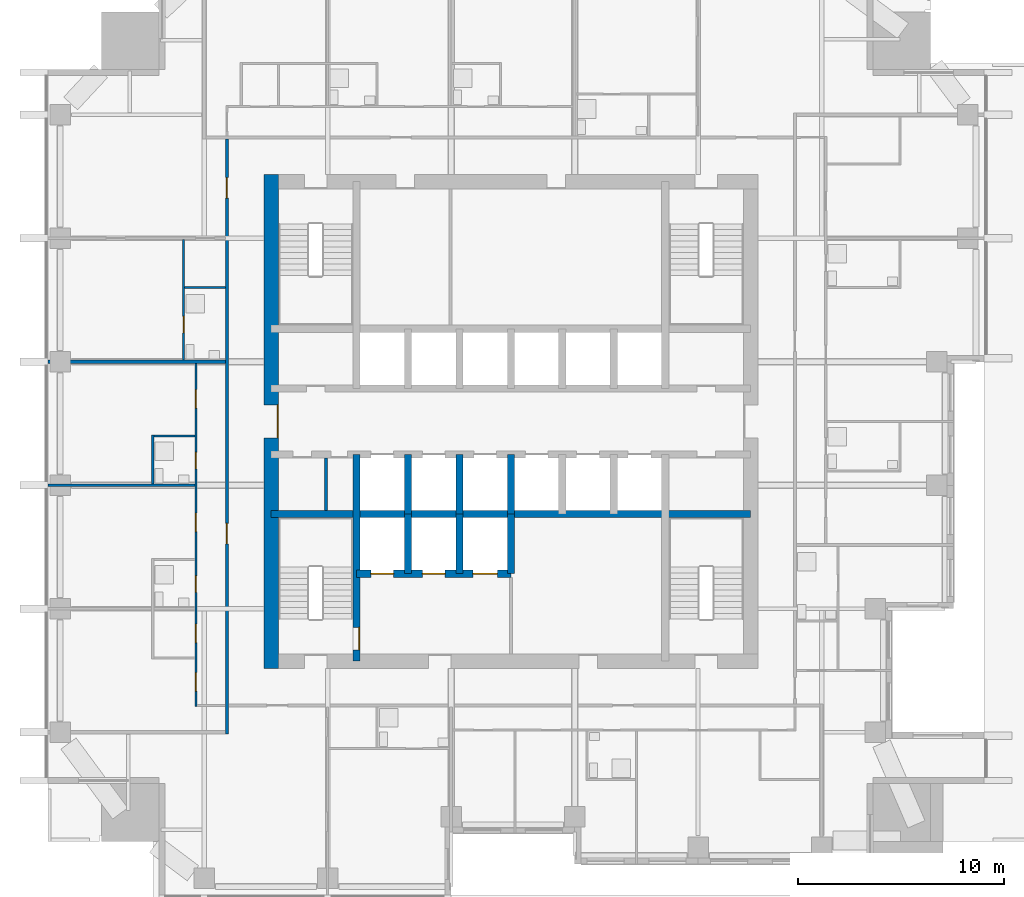
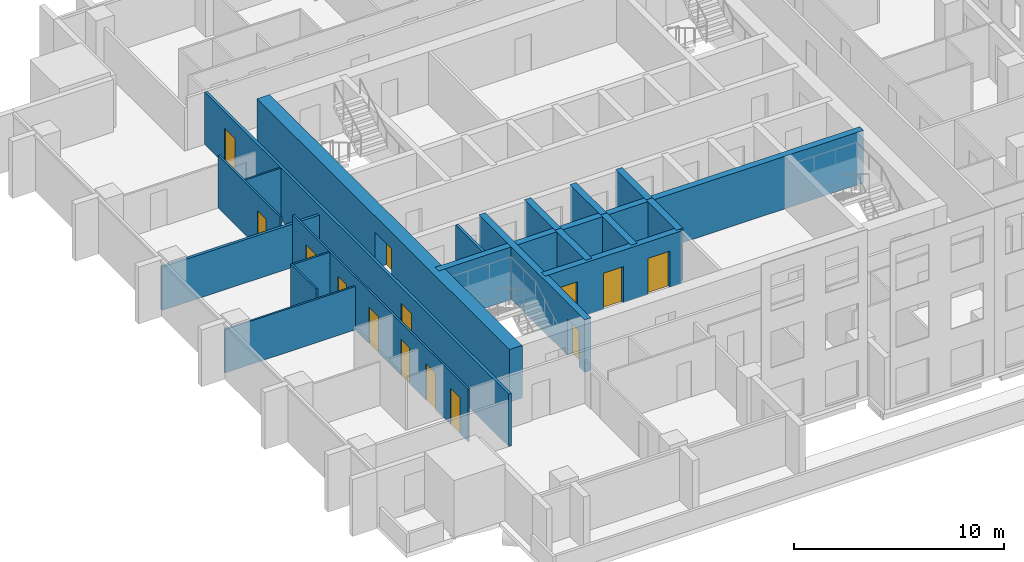
# One storey, part 5 of 14: 19 walls, 14 doors, 14 openings.
"""IFC4 building model written with IfcOpenShell, lengths in metres."""

from ifc_helpers import new_model, si_unit, direction, frame, frame_2d, origin, place, context, subcontext, project, spatial, rectangle, extrude, material, layer, layer_set, type_object, element, fill, save


model = new_model("IFC4")

# Units and contexts
model_context = context("Model", 3, precision=1e-05, world=origin(), true_north=direction((0.0, 1.0)))
body_context = subcontext(model_context, "Body", "Model", "MODEL_VIEW")
ifc_project = project(units=[si_unit("LENGTHUNIT", "METRE"), si_unit("AREAUNIT", "SQUARE_METRE"), si_unit("VOLUMEUNIT", "CUBIC_METRE"), si_unit("PLANEANGLEUNIT", "RADIAN"), si_unit("MASSUNIT", "GRAM", prefix="KILO")], contexts=[model_context])

# Site, building, storey
site_placement = place(None, origin())
site = spatial("IfcSite", under=ifc_project, at=site_placement, CompositionType="ELEMENT")
building_placement = place(site_placement, origin())
building = spatial("IfcBuilding", under=site, at=building_placement, Name="Amberfall Residences", CompositionType="ELEMENT")
storey_placement = place(building_placement, frame((0.0, 0.0, 133.89990234375)))
storey = spatial("IfcBuildingStorey", under=building, at=storey_placement, Name="L35", CompositionType="ELEMENT", Elevation=133.89990234375)

# Wall
ifc_material_1 = material(Name="Concrete C60", Category="concrete")
ifc_layer_1 = layer(ifc_material_1, 0.35009765625)
ifc_layer_set_1 = layer_set([ifc_layer_1], Name="Core wall 350 C60")
wall_type_1 = type_object("IfcWallType", Name="Core wall 350 C60", PredefinedType="SHEAR", material=ifc_layer_set_1)
wall_1_placement = place(storey_placement, frame((62.85009765625, 41.0, 0.0), z_axis=(0.0, 0.0, 1.0), x_axis=(1.0, 0.0, 0.0)))
element("IfcWall", 1, at=wall_1_placement, inside=storey, type_object=wall_type_1, Name="Core wall RW6 L35 H75", PredefinedType="SHEAR", context=body_context, shape_type="SweptSolid", body=[
    extrude(rectangle(XDim=23.2998046875, YDim=0.35009765625, at=frame_2d((11.64990234375, 0.0))), origin(), (0.0, 0.0, 1.0), 3.050048828125),
])

# Wall, opening, door
wall_2_placement = place(storey_placement, frame((67.0, 33.85009765625, 0.0), z_axis=(0.0, 0.0, 1.0), x_axis=(0.0, 1.0, 0.0)))
wall_2 = element("IfcWall", 2, at=wall_2_placement, inside=storey, type_object=wall_type_1, Name="Core wall RW6 L35 V45S", PredefinedType="SHEAR", context=body_context, shape_type="SweptSolid", body=[
    extrude(rectangle(XDim=10.0498046875, YDim=0.35009765625, at=frame_2d((5.02490234375, 0.0))), origin(), (0.0, 0.0, 1.0), 3.050048828125),
])
opening_1_placement = place(wall_2_placement, frame((0.550048828125, 0.0, 0.0)))
opening_1 = element("IfcOpeningElement", 3, at=opening_1_placement, cuts=wall_2, Name="Opening FL1", PredefinedType="OPENING", context=body_context, shape_type="SweptSolid", body=[
    extrude(rectangle(XDim=1.10009765625, YDim=2.10009765625, at=frame_2d((0.550048828125, 1.050048828125))), frame((0.0, 0.18505859375, 0.0), z_axis=(0.0, -1.0, 0.0), x_axis=(1.0, 0.0, 0.0)), (0.0, 0.0, 1.0), 0.3701171875),
])
ifc_material_2 = material(Name="Steel fire door set", Category="steel")
door_type_1 = type_object("IfcDoorType", Name="Firefighting lobby door 1100 x 2100", OperationType="SINGLE_SWING_LEFT", PredefinedType="DOOR", material=ifc_material_2)
door_1_placement = place(opening_1_placement, origin())
door_1 = element("IfcDoor", 4, at=door_1_placement, inside=storey, type_object=door_type_1, Name="FL1 L35", OperationType="SINGLE_SWING_RIGHT", OverallHeight=2.10009765625, OverallWidth=1.10009765625, PredefinedType="DOOR", context=body_context, shape_type="SweptSolid", body=[
    extrude(rectangle(XDim=1.10009765625, YDim=2.10009765625, at=frame_2d((0.550048828125, 1.050048828125))), frame((0.0, -0.1123046875, 0.0), z_axis=(0.0, -1.0, 0.0), x_axis=(1.0, 0.0, 0.0)), (0.0, 0.0, 1.0), 0.050048828125),
])
fill(opening_1, door_1)

# Walls
for number, where, z_axis, x_axis, name in (
    (5, (69.5, 41.0, 0.0), (0.0, 0.0, 1.0), (0.0, 1.0, 0.0), "Core wall RW6 L35 LPD1"),
    (6, (72.0, 41.0, 0.0), (0.0, 0.0, 1.0), (0.0, 1.0, 0.0), "Core wall RW6 L35 LPD2"),
    (7, (74.5, 41.0, 0.0), (0.0, 0.0, 1.0), (0.0, 1.0, 0.0), "Core wall RW6 L35 LPD3"),
):
    element("IfcWall", number, at=place(storey_placement, frame(where, z_axis=z_axis, x_axis=x_axis)), inside=storey, type_object=wall_type_1, Name=name, PredefinedType="SHEAR", context=body_context, shape_type="SweptSolid", body=[
        extrude(rectangle(XDim=2.89990234375, YDim=0.35009765625, at=frame_2d((1.449951171875, 0.0))), origin(), (0.0, 0.0, 1.0), 3.050048828125),
    ])

# Wall, openings, doors
wall_3_placement = place(storey_placement, frame((67.0, 38.10009765625, 0.0), z_axis=(0.0, 0.0, 1.0), x_axis=(1.0, 0.0, 0.0)))
wall_3 = element("IfcWall", 8, at=wall_3_placement, inside=storey, type_object=wall_type_1, Name="Core wall RW6 L35 FFF", PredefinedType="SHEAR", context=body_context, shape_type="SweptSolid", body=[
    extrude(rectangle(XDim=7.5, YDim=0.35009765625, at=frame_2d((3.75, 0.0))), origin(), (0.0, 0.0, 1.0), 3.050048828125),
])
opening_2_placement = place(wall_3_placement, frame((0.699951171875, 0.0, 0.0)))
opening_2 = element("IfcOpeningElement", 9, at=opening_2_placement, cuts=wall_3, Name="Opening LD2", PredefinedType="OPENING", context=body_context, shape_type="SweptSolid", body=[
    extrude(rectangle(XDim=1.10009765625, YDim=2.10009765625, at=frame_2d((0.550048828125, 1.050048828125))), frame((0.0, 0.18505859375, 0.0), z_axis=(0.0, -1.0, 0.0), x_axis=(1.0, 0.0, 0.0)), (0.0, 0.0, 1.0), 0.3701171875),
])
opening_3_placement = place(wall_3_placement, frame((3.199951171875, 0.0, 0.0)))
opening_3 = element("IfcOpeningElement", 10, at=opening_3_placement, cuts=wall_3, Name="Opening LD2", PredefinedType="OPENING", context=body_context, shape_type="SweptSolid", body=[
    extrude(rectangle(XDim=1.10009765625, YDim=2.10009765625, at=frame_2d((0.550048828125, 1.050048828125))), frame((0.0, 0.18505859375, 0.0), z_axis=(0.0, -1.0, 0.0), x_axis=(1.0, 0.0, 0.0)), (0.0, 0.0, 1.0), 0.3701171875),
])
opening_4_placement = place(wall_3_placement, frame((5.64990234375, 0.0, 0.0)))
opening_4 = element("IfcOpeningElement", 11, at=opening_4_placement, cuts=wall_3, Name="Opening LD3", PredefinedType="OPENING", context=body_context, shape_type="SweptSolid", body=[
    extrude(rectangle(XDim=1.199951171875, YDim=2.10009765625, at=frame_2d((0.60009765625, 1.050048828125))), frame((0.0, 0.18505859375, 0.0), z_axis=(0.0, -1.0, 0.0), x_axis=(1.0, 0.0, 0.0)), (0.0, 0.0, 1.0), 0.3701171875),
])
door_type_2 = type_object("IfcDoorType", Name="Firefighting lift landing door 1100 x 2100", OperationType="DOUBLE_DOOR_SLIDING", PredefinedType="DOOR", material=ifc_material_2)
door_2_placement = place(opening_2_placement, origin())
door_2 = element("IfcDoor", 12, at=door_2_placement, inside=storey, type_object=door_type_2, Name="Landing door FF1 L35", OperationType="DOUBLE_DOOR_SLIDING", OverallHeight=2.10009765625, OverallWidth=1.10009765625, PredefinedType="DOOR", context=body_context, shape_type="SweptSolid", body=[
    extrude(rectangle(XDim=1.10009765625, YDim=2.10009765625, at=frame_2d((0.550048828125, 1.050048828125))), frame((0.0, 0.02490234375, 0.0), z_axis=(0.0, -1.0, 0.0), x_axis=(1.0, 0.0, 0.0)), (0.0, 0.0, 1.0), 0.050048828125),
])
fill(opening_2, door_2)
door_3_placement = place(opening_3_placement, origin())
door_3 = element("IfcDoor", 13, at=door_3_placement, inside=storey, type_object=door_type_2, Name="Landing door FF2 L35", OperationType="DOUBLE_DOOR_SLIDING", OverallHeight=2.10009765625, OverallWidth=1.10009765625, PredefinedType="DOOR", context=body_context, shape_type="SweptSolid", body=[
    extrude(rectangle(XDim=1.10009765625, YDim=2.10009765625, at=frame_2d((0.550048828125, 1.050048828125))), frame((0.0, 0.02490234375, 0.0), z_axis=(0.0, -1.0, 0.0), x_axis=(1.0, 0.0, 0.0)), (0.0, 0.0, 1.0), 0.050048828125),
])
fill(opening_3, door_3)
door_type_3 = type_object("IfcDoorType", Name="Service lift landing door 1200 x 2100", OperationType="DOUBLE_DOOR_SLIDING", PredefinedType="DOOR", material=ifc_material_2)
door_4_placement = place(opening_4_placement, origin())
door_4 = element("IfcDoor", 14, at=door_4_placement, inside=storey, type_object=door_type_3, Name="Landing door SL1 L35", OperationType="DOUBLE_DOOR_SLIDING", OverallHeight=2.10009765625, OverallWidth=1.199951171875, PredefinedType="DOOR", context=body_context, shape_type="SweptSolid", body=[
    extrude(rectangle(XDim=1.199951171875, YDim=2.10009765625, at=frame_2d((0.60009765625, 1.050048828125))), frame((0.0, 0.02490234375, 0.0), z_axis=(0.0, -1.0, 0.0), x_axis=(1.0, 0.0, 0.0)), (0.0, 0.0, 1.0), 0.050048828125),
])
fill(opening_4, door_4)

# Walls
for number, where, z_axis, x_axis, name in (
    (15, (69.5, 38.10009765625, 0.0), (0.0, 0.0, 1.0), (0.0, 1.0, 0.0), "Core wall RW6 L35 FFD1"),
    (16, (72.0, 38.10009765625, 0.0), (0.0, 0.0, 1.0), (0.0, 1.0, 0.0), "Core wall RW6 L35 FFD2"),
    (17, (74.5, 38.10009765625, 0.0), (0.0, 0.0, 1.0), (0.0, 1.0, 0.0), "Core wall RW6 L35 FFD3"),
):
    element("IfcWall", number, at=place(storey_placement, frame(where, z_axis=z_axis, x_axis=x_axis)), inside=storey, type_object=wall_type_1, Name=name, PredefinedType="SHEAR", context=body_context, shape_type="SweptSolid", body=[
        extrude(rectangle(XDim=2.89990234375, YDim=0.35009765625, at=frame_2d((1.449951171875, 0.0))), origin(), (0.0, 0.0, 1.0), 3.050048828125),
    ])

# Wall, opening, door
ifc_layer_2 = layer(ifc_material_1, 0.699951171875)
ifc_layer_set_2 = layer_set([ifc_layer_2], Name="Core wall 700 C60")
wall_type_2 = type_object("IfcWallType", Name="Core wall 700 C60", PredefinedType="SHEAR", material=ifc_layer_set_2)
wall_4_placement = place(storey_placement, frame((62.85009765625, 33.5, 0.0), z_axis=(0.0, 0.0, 1.0), x_axis=(0.0, 1.0, 0.0)))
wall_4 = element("IfcWall", 18, at=wall_4_placement, inside=storey, type_object=wall_type_2, Name="Core wall RW5 L35 OW", PredefinedType="SHEAR", context=body_context, shape_type="SweptSolid", body=[
    extrude(rectangle(XDim=24.0, YDim=0.699951171875, at=frame_2d((12.0, 0.0))), origin(), (0.0, 0.0, 1.0), 3.050048828125),
])
opening_5_placement = place(wall_4_placement, frame((11.199951171875, 0.0, 0.0)))
opening_5 = element("IfcOpeningElement", 19, at=opening_5_placement, cuts=wall_4, Name="Opening LB1", PredefinedType="OPENING", context=body_context, shape_type="SweptSolid", body=[
    extrude(rectangle(XDim=1.60009765625, YDim=2.10009765625, at=frame_2d((0.800048828125, 1.050048828125))), frame((0.0, 0.35986328125, 0.0), z_axis=(0.0, -1.0, 0.0), x_axis=(1.0, 0.0, 0.0)), (0.0, 0.0, 1.0), 0.719970703125),
])
door_type_4 = type_object("IfcDoorType", Name="Lift lobby double door 1600 x 2100", OperationType="DOUBLE_DOOR_SINGLE_SWING", PredefinedType="DOOR", material=ifc_material_2)
door_5_placement = place(opening_5_placement, origin())
door_5 = element("IfcDoor", 20, at=door_5_placement, inside=storey, type_object=door_type_4, Name="LB1 L35", OperationType="DOUBLE_DOOR_SINGLE_SWING", OverallHeight=2.10009765625, OverallWidth=1.60009765625, PredefinedType="DOOR", context=body_context, shape_type="SweptSolid", body=[
    extrude(rectangle(XDim=1.60009765625, YDim=2.10009765625, at=frame_2d((0.800048828125, 1.050048828125))), frame((0.0, -0.28759765625, 0.0), z_axis=(0.0, -1.0, 0.0), x_axis=(1.0, 0.0, 0.0)), (0.0, 0.0, 1.0), 0.050048828125),
])
fill(opening_5, door_5)

# Wall
ifc_material_3 = material(Name="Gypsum board on metal stud")
ifc_layer_3 = layer(ifc_material_3, 0.10009765625)
ifc_layer_set_3 = layer_set([ifc_layer_3], Name="Flat partition 100")
wall_type_3 = type_object("IfcWallType", Name="Flat partition 100", PredefinedType="PARTITIONING", material=ifc_layer_set_3)
wall_5_placement = place(storey_placement, frame((57.10009765625, 42.449951171875, 0.0), z_axis=(0.0, 0.0, 1.0), x_axis=(0.0, 1.0, 0.0)))
element("IfcWall", 21, at=wall_5_placement, inside=storey, type_object=wall_type_3, Name="Partition 002", PredefinedType="PARTITIONING", context=body_context, shape_type="SweptSolid", body=[
    extrude(rectangle(XDim=2.400146484375, YDim=0.10009765625, at=frame_2d((1.2001953125, 0.0))), origin(), (0.0, 0.0, 1.0), 3.050048828125),
])

# Wall, opening, door
wall_6_placement = place(storey_placement, frame((58.60009765625, 54.35009765625, 0.0), z_axis=(0.0, 0.0, 1.0), x_axis=(0.0, -1.0, 0.0)))
wall_6 = element("IfcWall", 22, at=wall_6_placement, inside=storey, type_object=wall_type_3, Name="Partition 003", PredefinedType="PARTITIONING", context=body_context, shape_type="SweptSolid", body=[
    extrude(rectangle(XDim=5.875, YDim=0.10009765625, at=frame_2d((2.9375, 0.0))), origin(), (0.0, 0.0, 1.0), 3.050048828125),
])
opening_6_placement = place(wall_6_placement, frame((3.75, 0.0, 0.0)))
opening_6 = element("IfcOpeningElement", 23, at=opening_6_placement, cuts=wall_6, Name="Opening D42", PredefinedType="OPENING", context=body_context, shape_type="SweptSolid", body=[
    extrude(rectangle(XDim=0.800048828125, YDim=2.10009765625, at=frame_2d((0.39990234375, 1.050048828125))), frame((0.0, 0.06005859375, 0.0), z_axis=(0.0, -1.0, 0.0), x_axis=(1.0, 0.0, 0.0)), (0.0, 0.0, 1.0), 0.1201171875),
])
ifc_material_4 = material(Name="Timber", Category="wood")
door_type_5 = type_object("IfcDoorType", Name="Bathroom door 800 x 2100", OperationType="SINGLE_SWING_LEFT", PredefinedType="DOOR", material=ifc_material_4)
door_6_placement = place(opening_6_placement, origin())
door_6 = element("IfcDoor", 24, at=door_6_placement, inside=storey, type_object=door_type_5, Name="Door 3508 bath1", OperationType="SINGLE_SWING_LEFT", OverallHeight=2.10009765625, OverallWidth=0.800048828125, PredefinedType="DOOR", context=body_context, shape_type="SweptSolid", body=[
    extrude(rectangle(XDim=0.800048828125, YDim=2.10009765625, at=frame_2d((0.39990234375, 1.050048828125))), frame((0.0, 0.02490234375, 0.0), z_axis=(0.0, -1.0, 0.0), x_axis=(1.0, 0.0, 0.0)), (0.0, 0.0, 1.0), 0.050048828125),
])
fill(opening_6, door_6)

# Wall, openings, doors
wall_7_placement = place(storey_placement, frame((59.199951171875, 31.64990234375, 0.0), z_axis=(0.0, 0.0, 1.0), x_axis=(0.0, 1.0, 0.0)))
wall_7 = element("IfcWall", 25, at=wall_7_placement, inside=storey, type_object=wall_type_3, Name="Partition 004", PredefinedType="PARTITIONING", context=body_context, shape_type="SweptSolid", body=[
    extrude(rectangle(XDim=16.675048828125, YDim=0.10009765625, at=frame_2d((8.33740234375, 0.0))), origin(), (0.0, 0.0, 1.0), 3.050048828125),
])
opening_7_placement = place(wall_7_placement, frame((0.75, 0.0, 0.0)))
opening_7 = element("IfcOpeningElement", 26, at=opening_7_placement, cuts=wall_7, Name="Opening D41", PredefinedType="OPENING", context=body_context, shape_type="SweptSolid", body=[
    extrude(rectangle(XDim=0.89990234375, YDim=2.10009765625, at=frame_2d((0.449951171875, 1.050048828125))), frame((0.0, 0.06005859375, 0.0), z_axis=(0.0, -1.0, 0.0), x_axis=(1.0, 0.0, 0.0)), (0.0, 0.0, 1.0), 0.1201171875),
])
opening_8_placement = place(wall_7_placement, frame((3.10009765625, 0.0, 0.0)))
opening_8 = element("IfcOpeningElement", 27, at=opening_8_placement, cuts=wall_7, Name="Opening D41", PredefinedType="OPENING", context=body_context, shape_type="SweptSolid", body=[
    extrude(rectangle(XDim=0.89990234375, YDim=2.10009765625, at=frame_2d((0.449951171875, 1.050048828125))), frame((0.0, 0.06005859375, 0.0), z_axis=(0.0, -1.0, 0.0), x_axis=(1.0, 0.0, 0.0)), (0.0, 0.0, 1.0), 0.1201171875),
])
opening_9_placement = place(wall_7_placement, frame((8.5, 0.0, 0.0)))
opening_9 = element("IfcOpeningElement", 28, at=opening_9_placement, cuts=wall_7, Name="Opening D41", PredefinedType="OPENING", context=body_context, shape_type="SweptSolid", body=[
    extrude(rectangle(XDim=0.89990234375, YDim=2.10009765625, at=frame_2d((0.449951171875, 1.050048828125))), frame((0.0, 0.06005859375, 0.0), z_axis=(0.0, -1.0, 0.0), x_axis=(1.0, 0.0, 0.0)), (0.0, 0.0, 1.0), 0.1201171875),
])
opening_10_placement = place(wall_7_placement, frame((14.5, 0.0, 0.0)))
opening_10 = element("IfcOpeningElement", 29, at=opening_10_placement, cuts=wall_7, Name="Opening D41", PredefinedType="OPENING", context=body_context, shape_type="SweptSolid", body=[
    extrude(rectangle(XDim=0.89990234375, YDim=2.10009765625, at=frame_2d((0.449951171875, 1.050048828125))), frame((0.0, 0.06005859375, 0.0), z_axis=(0.0, -1.0, 0.0), x_axis=(1.0, 0.0, 0.0)), (0.0, 0.0, 1.0), 0.1201171875),
])
opening_11_placement = place(wall_7_placement, frame((5.550048828125, 0.0, 0.0)))
opening_11 = element("IfcOpeningElement", 30, at=opening_11_placement, cuts=wall_7, Name="Opening D42", PredefinedType="OPENING", context=body_context, shape_type="SweptSolid", body=[
    extrude(rectangle(XDim=0.800048828125, YDim=2.10009765625, at=frame_2d((0.39990234375, 1.050048828125))), frame((0.0, 0.06005859375, 0.0), z_axis=(0.0, -1.0, 0.0), x_axis=(1.0, 0.0, 0.0)), (0.0, 0.0, 1.0), 0.1201171875),
])
opening_12_placement = place(wall_7_placement, frame((11.550048828125, 0.0, 0.0)))
opening_12 = element("IfcOpeningElement", 31, at=opening_12_placement, cuts=wall_7, Name="Opening D42", PredefinedType="OPENING", context=body_context, shape_type="SweptSolid", body=[
    extrude(rectangle(XDim=0.800048828125, YDim=2.10009765625, at=frame_2d((0.39990234375, 1.050048828125))), frame((0.0, 0.06005859375, 0.0), z_axis=(0.0, -1.0, 0.0), x_axis=(1.0, 0.0, 0.0)), (0.0, 0.0, 1.0), 0.1201171875),
])
door_7_placement = place(opening_11_placement, origin())
door_7 = element("IfcDoor", 32, at=door_7_placement, inside=storey, type_object=door_type_5, Name="Door 3507 bath1", OperationType="SINGLE_SWING_LEFT", OverallHeight=2.10009765625, OverallWidth=0.800048828125, PredefinedType="DOOR", context=body_context, shape_type="SweptSolid", body=[
    extrude(rectangle(XDim=0.800048828125, YDim=2.10009765625, at=frame_2d((0.39990234375, 1.050048828125))), frame((0.0, 0.02490234375, 0.0), z_axis=(0.0, -1.0, 0.0), x_axis=(1.0, 0.0, 0.0)), (0.0, 0.0, 1.0), 0.050048828125),
])
fill(opening_11, door_7)
door_8_placement = place(opening_12_placement, origin())
door_8 = element("IfcDoor", 33, at=door_8_placement, inside=storey, type_object=door_type_5, Name="Door 3507 bath2", OperationType="SINGLE_SWING_LEFT", OverallHeight=2.10009765625, OverallWidth=0.800048828125, PredefinedType="DOOR", context=body_context, shape_type="SweptSolid", body=[
    extrude(rectangle(XDim=0.800048828125, YDim=2.10009765625, at=frame_2d((0.39990234375, 1.050048828125))), frame((0.0, 0.02490234375, 0.0), z_axis=(0.0, -1.0, 0.0), x_axis=(1.0, 0.0, 0.0)), (0.0, 0.0, 1.0), 0.050048828125),
])
fill(opening_12, door_8)
door_type_6 = type_object("IfcDoorType", Name="Internal door 900 x 2100", OperationType="SINGLE_SWING_LEFT", PredefinedType="DOOR", material=ifc_material_4)
door_9_placement = place(opening_7_placement, origin())
door_9 = element("IfcDoor", 34, at=door_9_placement, inside=storey, type_object=door_type_6, Name="Door 3507 living", OperationType="SINGLE_SWING_LEFT", OverallHeight=2.10009765625, OverallWidth=0.89990234375, PredefinedType="DOOR", context=body_context, shape_type="SweptSolid", body=[
    extrude(rectangle(XDim=0.89990234375, YDim=2.10009765625, at=frame_2d((0.449951171875, 1.050048828125))), frame((0.0, 0.02490234375, 0.0), z_axis=(0.0, -1.0, 0.0), x_axis=(1.0, 0.0, 0.0)), (0.0, 0.0, 1.0), 0.050048828125),
])
fill(opening_7, door_9)
door_10_placement = place(opening_8_placement, origin())
door_10 = element("IfcDoor", 35, at=door_10_placement, inside=storey, type_object=door_type_6, Name="Door 3507 kitchen", OperationType="SINGLE_SWING_LEFT", OverallHeight=2.10009765625, OverallWidth=0.89990234375, PredefinedType="DOOR", context=body_context, shape_type="SweptSolid", body=[
    extrude(rectangle(XDim=0.89990234375, YDim=2.10009765625, at=frame_2d((0.449951171875, 1.050048828125))), frame((0.0, 0.02490234375, 0.0), z_axis=(0.0, -1.0, 0.0), x_axis=(1.0, 0.0, 0.0)), (0.0, 0.0, 1.0), 0.050048828125),
])
fill(opening_8, door_10)
door_11_placement = place(opening_9_placement, origin())
door_11 = element("IfcDoor", 36, at=door_11_placement, inside=storey, type_object=door_type_6, Name="Door 3507 bedroom1", OperationType="SINGLE_SWING_LEFT", OverallHeight=2.10009765625, OverallWidth=0.89990234375, PredefinedType="DOOR", context=body_context, shape_type="SweptSolid", body=[
    extrude(rectangle(XDim=0.89990234375, YDim=2.10009765625, at=frame_2d((0.449951171875, 1.050048828125))), frame((0.0, 0.02490234375, 0.0), z_axis=(0.0, -1.0, 0.0), x_axis=(1.0, 0.0, 0.0)), (0.0, 0.0, 1.0), 0.050048828125),
])
fill(opening_9, door_11)
door_12_placement = place(opening_10_placement, origin())
door_12 = element("IfcDoor", 37, at=door_12_placement, inside=storey, type_object=door_type_6, Name="Door 3507 bedroom2", OperationType="SINGLE_SWING_LEFT", OverallHeight=2.10009765625, OverallWidth=0.89990234375, PredefinedType="DOOR", context=body_context, shape_type="SweptSolid", body=[
    extrude(rectangle(XDim=0.89990234375, YDim=2.10009765625, at=frame_2d((0.449951171875, 1.050048828125))), frame((0.0, 0.02490234375, 0.0), z_axis=(0.0, -1.0, 0.0), x_axis=(1.0, 0.0, 0.0)), (0.0, 0.0, 1.0), 0.050048828125),
])
fill(opening_10, door_12)

# Walls
wall_8_placement = place(storey_placement, frame((58.64990234375, 52.0, 0.0), z_axis=(0.0, 0.0, 1.0), x_axis=(1.0, 0.0, 0.0)))
element("IfcWall", 38, at=wall_8_placement, inside=storey, type_object=wall_type_3, Name="Partition 034", PredefinedType="PARTITIONING", context=body_context, shape_type="SweptSolid", body=[
    extrude(rectangle(XDim=1.97509765625, YDim=0.10009765625, at=frame_2d((0.987548828125, 0.0))), origin(), (0.0, 0.0, 1.0), 3.050048828125),
])
wall_9_placement = place(storey_placement, frame((57.14990234375, 44.800048828125, 0.0), z_axis=(0.0, 0.0, 1.0), x_axis=(1.0, 0.0, 0.0)))
element("IfcWall", 39, at=wall_9_placement, inside=storey, type_object=wall_type_3, Name="Partition 037", PredefinedType="PARTITIONING", context=body_context, shape_type="SweptSolid", body=[
    extrude(rectangle(XDim=2.0, YDim=0.10009765625, at=frame_2d((1.0, 0.0))), origin(), (0.0, 0.0, 1.0), 3.050048828125),
])
wall_10_placement = place(storey_placement, frame((52.0, 42.39990234375, 0.0), z_axis=(0.0, 0.0, 1.0), x_axis=(1.0, 0.0, 0.0)))
element("IfcWall", 40, at=wall_10_placement, inside=storey, type_object=wall_type_3, Name="Partition 039", PredefinedType="PARTITIONING", context=body_context, shape_type="SweptSolid", body=[
    extrude(rectangle(XDim=7.14990234375, YDim=0.10009765625, at=frame_2d((3.574951171875, 0.0))), origin(), (0.0, 0.0, 1.0), 2.51611328125),
])

# Wall, openings, doors
ifc_material_5 = material(Name="Blockwork, plastered", Category="masonry")
ifc_layer_4 = layer(ifc_material_5, 0.14990234375)
ifc_layer_set_4 = layer_set([ifc_layer_4], Name="Flat separating wall 150")
wall_type_4 = type_object("IfcWallType", Name="Flat separating wall 150", PredefinedType="PARTITIONING", material=ifc_layer_set_4)
wall_11_placement = place(storey_placement, frame((60.699951171875, 30.324951171875, 0.0), z_axis=(0.0, 0.0, 1.0), x_axis=(0.0, 1.0, 0.0)))
wall_11 = element("IfcWall", 41, at=wall_11_placement, inside=storey, type_object=wall_type_4, Name="Separating wall 051", PredefinedType="PARTITIONING", context=body_context, shape_type="SweptSolid", body=[
    extrude(rectangle(XDim=28.900146484375, YDim=0.14990234375, at=frame_2d((14.4501953125, 0.0))), origin(), (0.0, 0.0, 1.0), 3.050048828125),
])
opening_13_placement = place(wall_11_placement, frame((9.22509765625, 0.0, 0.0)))
opening_13 = element("IfcOpeningElement", 42, at=opening_13_placement, cuts=wall_11, Name="Opening D40", PredefinedType="OPENING", context=body_context, shape_type="SweptSolid", body=[
    extrude(rectangle(XDim=1.0, YDim=2.10009765625, at=frame_2d((0.5, 1.050048828125))), frame((0.0, 0.0849609375, 0.0), z_axis=(0.0, -1.0, 0.0), x_axis=(1.0, 0.0, 0.0)), (0.0, 0.0, 1.0), 0.169921875),
])
opening_14_placement = place(wall_11_placement, frame((26.02490234375, 0.0, 0.0)))
opening_14 = element("IfcOpeningElement", 43, at=opening_14_placement, cuts=wall_11, Name="Opening D40", PredefinedType="OPENING", context=body_context, shape_type="SweptSolid", body=[
    extrude(rectangle(XDim=1.0, YDim=2.10009765625, at=frame_2d((0.5, 1.050048828125))), frame((0.0, 0.0849609375, 0.0), z_axis=(0.0, -1.0, 0.0), x_axis=(1.0, 0.0, 0.0)), (0.0, 0.0, 1.0), 0.169921875),
])
ifc_material_6 = material(Name="Timber, fire-rated", Category="wood")
door_type_7 = type_object("IfcDoorType", Name="Flat entrance door FD60 1000 x 2100", OperationType="SINGLE_SWING_LEFT", PredefinedType="DOOR", material=ifc_material_6)
door_13_placement = place(opening_13_placement, origin())
door_13 = element("IfcDoor", 44, at=door_13_placement, inside=storey, type_object=door_type_7, Name="Door 3507 entrance", OperationType="SINGLE_SWING_LEFT", OverallHeight=2.10009765625, OverallWidth=1.0, PredefinedType="DOOR", context=body_context, shape_type="SweptSolid", body=[
    extrude(rectangle(XDim=1.0, YDim=2.10009765625, at=frame_2d((0.5, 1.050048828125))), frame((0.0, 0.02490234375, 0.0), z_axis=(0.0, -1.0, 0.0), x_axis=(1.0, 0.0, 0.0)), (0.0, 0.0, 1.0), 0.050048828125),
])
fill(opening_13, door_13)
door_14_placement = place(opening_14_placement, origin())
door_14 = element("IfcDoor", 45, at=door_14_placement, inside=storey, type_object=door_type_7, Name="Door 3508 entrance", OperationType="SINGLE_SWING_LEFT", OverallHeight=2.10009765625, OverallWidth=1.0, PredefinedType="DOOR", context=body_context, shape_type="SweptSolid", body=[
    extrude(rectangle(XDim=1.0, YDim=2.10009765625, at=frame_2d((0.5, 1.050048828125))), frame((0.0, 0.02490234375, 0.0), z_axis=(0.0, -1.0, 0.0), x_axis=(1.0, 0.0, 0.0)), (0.0, 0.0, 1.0), 0.050048828125),
])
fill(opening_14, door_14)

# Walls
wall_12_placement = place(storey_placement, frame((52.0, 48.39990234375, 0.0), z_axis=(0.0, 0.0, 1.0), x_axis=(1.0, 0.0, 0.0)))
element("IfcWall", 46, at=wall_12_placement, inside=storey, type_object=wall_type_4, Name="Separating wall 058", PredefinedType="PARTITIONING", context=body_context, shape_type="SweptSolid", body=[
    extrude(rectangle(XDim=8.625, YDim=0.14990234375, at=frame_2d((4.3125, 0.0))), origin(), (0.0, 0.0, 1.0), 2.51611328125),
])
ifc_material_7 = material(Name="Concrete blockwork", Category="masonry")
ifc_layer_5 = layer(ifc_material_7, 0.14990234375)
ifc_layer_set_5 = layer_set([ifc_layer_5], Name="Riser wall 150")
wall_type_5 = type_object("IfcWallType", Name="Riser wall 150", PredefinedType="PLUMBINGWALL", material=ifc_layer_set_5)
wall_13_placement = place(storey_placement, frame((65.52001953125, 41.175048828125, 0.0), z_axis=(0.0, 0.0, 1.0), x_axis=(0.0, 1.0, 0.0)))
element("IfcWall", 47, at=wall_13_placement, inside=storey, type_object=wall_type_5, Name="L35 core wall ASW0", PredefinedType="PLUMBINGWALL", context=body_context, shape_type="SweptSolid", body=[
    extrude(rectangle(XDim=2.550048828125, YDim=0.14990234375, at=frame_2d((1.27490234375, 0.0))), origin(), (0.0, 0.0, 1.0), 3.050048828125),
])

save(model, "model.ifc")
